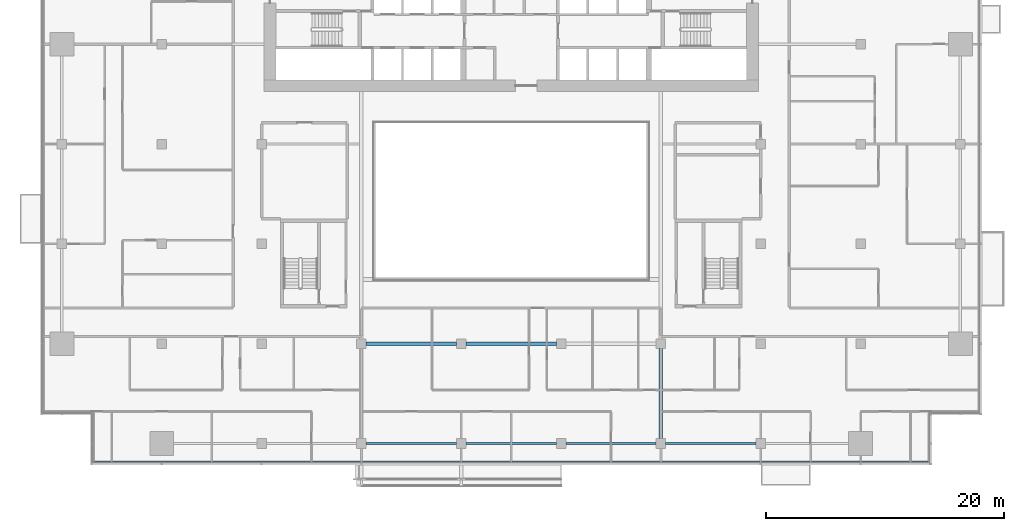
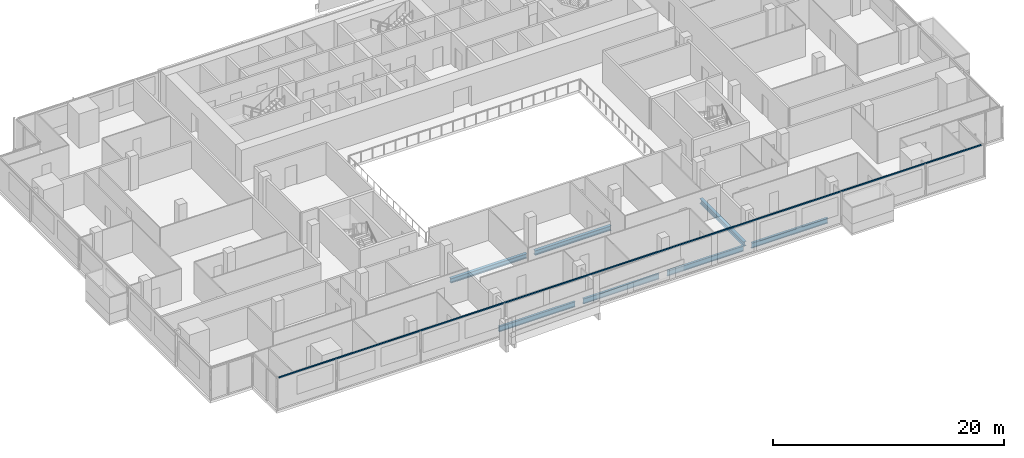
# One storey, part 5 of 26: 7 beams, 1 member, 1 element without a shape of its own.
"""IFC4 building model written with IfcOpenShell, lengths in metres."""

from ifc_helpers import new_model, si_unit, direction, frame, origin, origin_2d, place, context, subcontext, project, spatial, rectangle, i_section, extrude, material, material_profile, profile_set, type_object, element, aggregate, save


model = new_model("IFC4")

# Units and contexts
model_context = context("Model", 3, precision=1e-05, world=origin(), true_north=direction((0.0, 1.0)))
body_context = subcontext(model_context, "Body", "Model", "MODEL_VIEW")
ifc_project = project(units=[si_unit("LENGTHUNIT", "METRE"), si_unit("AREAUNIT", "SQUARE_METRE"), si_unit("VOLUMEUNIT", "CUBIC_METRE"), si_unit("PLANEANGLEUNIT", "RADIAN"), si_unit("MASSUNIT", "GRAM", prefix="KILO")], contexts=[model_context])

# Site, building, storey
site_placement = place(None, origin())
site = spatial("IfcSite", under=ifc_project, at=site_placement, CompositionType="ELEMENT")
building_placement = place(site_placement, origin())
building = spatial("IfcBuilding", under=site, at=building_placement, Name="Saffron Gate Tower", CompositionType="ELEMENT")
storey_placement = place(building_placement, frame((0.0, 0.0, 120.449951171875)))
storey = spatial("IfcBuildingStorey", under=building, at=storey_placement, Name="L28", CompositionType="ELEMENT", Elevation=120.449951171875)

# Beams
ifc_material_1 = material(Name="Structural steel S355", Category="steel")
ifc_material_profile_1 = material_profile(ifc_material_1, i_section(OverallWidth=0.2099609375, OverallDepth=0.550048828125, WebThickness=0.010986328125, FlangeThickness=0.01708984375, FilletRadius=0.02392578125, at=origin_2d()))
ifc_profile_set_1 = profile_set([ifc_material_profile_1], Name="Structural steel S355")
beam_type_1 = type_object("IfcBeamType", Name="B13 IPE 550", PredefinedType="SPANDREL", material=ifc_profile_set_1)
beam_1_placement = place(storey_placement, frame((75.39990234375, 31.800048828125, -0.554931640625), z_axis=(1.0, 0.0, 0.0), x_axis=(0.0, 1.0, 0.0)))
element("IfcBeam", 1, at=beam_1_placement, inside=storey, type_object=beam_type_1, Name="B13 SPANDREL BEAM", PredefinedType="SPANDREL", context=body_context, shape_type="SweptSolid", body=[
    extrude(i_section(OverallWidth=0.2099609375, OverallDepth=0.550048828125, WebThickness=0.010986328125, FlangeThickness=0.01708984375, FilletRadius=0.02392578125, at=origin_2d()), origin(), (0.0, 0.0, 1.0), 7.60009765625),
])
beam_2_placement = place(storey_placement, frame((83.800048828125, 31.800048828125, -0.554931640625), z_axis=(1.0, 0.0, 0.0), x_axis=(0.0, 1.0, 0.0)))
element("IfcBeam", 2, at=beam_2_placement, inside=storey, type_object=beam_type_1, Name="B13 SPANDREL BEAM", PredefinedType="SPANDREL", context=body_context, shape_type="SweptSolid", body=[
    extrude(i_section(OverallWidth=0.2099609375, OverallDepth=0.550048828125, WebThickness=0.010986328125, FlangeThickness=0.01708984375, FilletRadius=0.02392578125, at=origin_2d()), origin(), (0.0, 0.0, 1.0), 7.599853515625),
])
beam_3_placement = place(storey_placement, frame((92.199951171875, 31.800048828125, -0.554931640625), z_axis=(1.0, 0.0, 0.0), x_axis=(0.0, 1.0, 0.0)))
element("IfcBeam", 3, at=beam_3_placement, inside=storey, type_object=beam_type_1, Name="B13 SPANDREL BEAM", PredefinedType="SPANDREL", context=body_context, shape_type="SweptSolid", body=[
    extrude(i_section(OverallWidth=0.2099609375, OverallDepth=0.550048828125, WebThickness=0.010986328125, FlangeThickness=0.01708984375, FilletRadius=0.02392578125, at=origin_2d()), origin(), (0.0, 0.0, 1.0), 7.60009765625),
])
beam_4_placement = place(storey_placement, frame((100.60009765625, 31.800048828125, -0.554931640625), z_axis=(1.0, 0.0, 0.0), x_axis=(0.0, 1.0, 0.0)))
element("IfcBeam", 4, at=beam_4_placement, inside=storey, type_object=beam_type_1, Name="B13 SPANDREL BEAM", PredefinedType="SPANDREL", context=body_context, shape_type="SweptSolid", body=[
    extrude(i_section(OverallWidth=0.2099609375, OverallDepth=0.550048828125, WebThickness=0.010986328125, FlangeThickness=0.01708984375, FilletRadius=0.02392578125, at=origin_2d()), origin(), (0.0, 0.0, 1.0), 7.599853515625),
])
ifc_material_profile_2 = material_profile(ifc_material_1, i_section(OverallWidth=0.300048828125, OverallDepth=0.489990234375, WebThickness=0.011962890625, FlangeThickness=0.02294921875, FilletRadius=0.027099609375, at=origin_2d()))
ifc_profile_set_2 = profile_set([ifc_material_profile_2], Name="Structural steel S355")
beam_type_2 = type_object("IfcBeamType", Name="B8 HEA 500", PredefinedType="BEAM", material=ifc_profile_set_2)
for number, where, z_axis, x_axis, name in (
    (5, (100.199951171875, 32.199951171875, -0.52490234375), (0.0, 1.0, 0.0), (-1.0, 0.0, 0.0), "B8 FLOOR GIRDER"),
    (6, (75.39990234375, 40.199951171875, -0.52490234375), (1.0, 0.0, 0.0), (0.0, 1.0, 0.0), "B8 FLOOR GIRDER"),
):
    element("IfcBeam", number, at=place(storey_placement, frame(where, z_axis=z_axis, x_axis=x_axis)), inside=storey, type_object=beam_type_2, Name=name, PredefinedType="BEAM", context=body_context, shape_type="SweptSolid", body=[
        extrude(i_section(OverallWidth=0.300048828125, OverallDepth=0.489990234375, WebThickness=0.011962890625, FlangeThickness=0.02294921875, FilletRadius=0.027099609375, at=origin_2d()), origin(), (0.0, 0.0, 1.0), 7.60009765625),
    ])
beam_5_placement = place(storey_placement, frame((83.800048828125, 40.199951171875, -0.52490234375), z_axis=(1.0, 0.0, 0.0), x_axis=(0.0, 1.0, 0.0)))
element("IfcBeam", 7, at=beam_5_placement, inside=storey, type_object=beam_type_2, Name="B8 FLOOR GIRDER", PredefinedType="BEAM", context=body_context, shape_type="SweptSolid", body=[
    extrude(i_section(OverallWidth=0.300048828125, OverallDepth=0.489990234375, WebThickness=0.011962890625, FlangeThickness=0.02294921875, FilletRadius=0.027099609375, at=origin_2d()), origin(), (0.0, 0.0, 1.0), 7.599853515625),
])

# Curtain wall, member
ifc_material_2 = material(Name="Aluminium, bronze anodised", Category="aluminium")
curtain_wall_type = type_object("IfcCurtainWallType", Name="CWS1 curtain wall front facade", PredefinedType="NOTDEFINED", material=ifc_material_2)
curtain_wall_placement = place(storey_placement, origin())
curtain_wall = element("IfcCurtainWall", 8, at=curtain_wall_placement, inside=storey, type_object=curtain_wall_type, Name="CWS1 run 1", PredefinedType="NOTDEFINED")
ifc_material_profile_3 = material_profile(ifc_material_2, rectangle(XDim=0.1201171875, YDim=0.1201171875, at=origin_2d()))
ifc_profile_set_3 = profile_set([ifc_material_profile_3], Name="Aluminium, bronze anodised")
member_type = type_object("IfcMemberType", Name="CWS1 head transom", PredefinedType="USERDEFINED", material=ifc_profile_set_3)
member_placement = place(storey_placement, frame((52.568115234375, 30.248046875, 3.260009765625), z_axis=(1.0, 0.0, 0.0), x_axis=(0.0, 1.0, 0.0)))
member = element("IfcMember", 9, at=member_placement, type_object=member_type, Name="CWS1 head transom", ObjectType="TRANSOM", PredefinedType="USERDEFINED", context=body_context, shape_type="SweptSolid", body=[
    extrude(rectangle(XDim=0.1201171875, YDim=0.1201171875, at=origin_2d()), origin(), (0.0, 0.0, 1.0), 70.06396484375),
])
aggregate(curtain_wall, [member])

save(model, "model.ifc")
